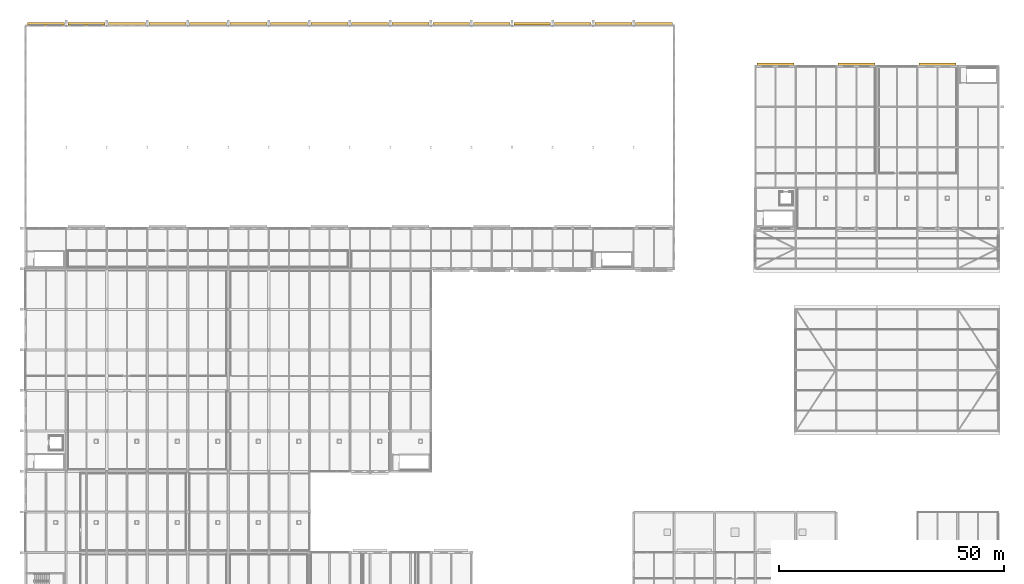
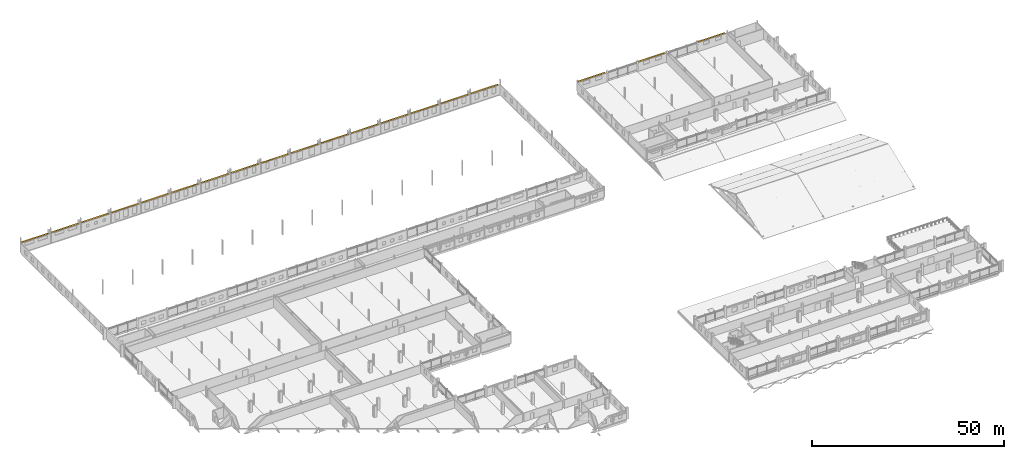
# One storey, part 131 of 132: 19 shading devices.
"""IFC4 building model written with IfcOpenShell, lengths in metres."""

from ifc_helpers import new_model, si_unit, direction, frame, origin, origin_2d, place, context, subcontext, project, spatial, rectangle, extrude, material, layer, layer_set, type_object, element, save


model = new_model("IFC4")

# Units and contexts
model_context = context("Model", 3, precision=1e-05, world=origin(), true_north=direction((0.0, 1.0)))
body_context = subcontext(model_context, "Body", "Model", "MODEL_VIEW")
ifc_project = project(units=[si_unit("LENGTHUNIT", "METRE"), si_unit("AREAUNIT", "SQUARE_METRE"), si_unit("VOLUMEUNIT", "CUBIC_METRE"), si_unit("PLANEANGLEUNIT", "RADIAN"), si_unit("MASSUNIT", "GRAM", prefix="KILO")], contexts=[model_context])

# Site, building, storey
site_placement = place(None, origin())
site = spatial("IfcSite", under=ifc_project, at=site_placement, CompositionType="ELEMENT")
building_placement = place(site_placement, origin())
building = spatial("IfcBuilding", under=site, at=building_placement, Name="Tharagai Park Tramway Depot", CompositionType="ELEMENT")
storey_placement = place(building_placement, frame((0.0, 0.0, 4.800048828125)))
storey = spatial("IfcBuildingStorey", under=building, at=storey_placement, Name="L01", CompositionType="ELEMENT", Elevation=4.800048828125)

# Shading devices
ifc_material = material(Name="Anodised aluminium", Category="aluminium")
ifc_layer = layer(ifc_material, 0.090087890625)
ifc_layer_set = layer_set([ifc_layer], Name="Anodised aluminium")
shading_device_type = type_object("IfcShadingDeviceType", Name="SD-01", PredefinedType="SHUTTER", material=ifc_layer_set)
for number, where, z_axis, x_axis, name in (
    (1, (166.5, 135.429931640625, 2.61669921875), (0.0, 0.0, 1.0), (1.0, 0.0, 0.0), "Monsoon Storm Louvre Hood SD-01 #32"),
    (2, (184.5, 135.429931640625, 2.61669921875), (0.0, 0.0, 1.0), (1.0, 0.0, 0.0), "Monsoon Storm Louvre Hood SD-01 #33"),
    (3, (202.5, 135.429931640625, 2.61669921875), (0.0, 0.0, 1.0), (1.0, 0.0, 0.0), "Monsoon Storm Louvre Hood SD-01 #34"),
    (4, (4.5, 144.429931640625, 2.81689453125), (0.0, 0.0, 1.0), (1.0, 0.0, 0.0), "Monsoon Storm Louvre Hood SD-01 #35"),
    (5, (13.5, 144.429931640625, 2.81689453125), (0.0, 0.0, 1.0), (1.0, 0.0, 0.0), "Monsoon Storm Louvre Hood SD-01 #36"),
    (6, (22.5, 144.429931640625, 2.81689453125), (0.0, 0.0, 1.0), (1.0, 0.0, 0.0), "Monsoon Storm Louvre Hood SD-01 #37"),
    (7, (31.5, 144.429931640625, 2.81689453125), (0.0, 0.0, 1.0), (1.0, 0.0, 0.0), "Monsoon Storm Louvre Hood SD-01 #38"),
    (8, (40.5, 144.429931640625, 2.81689453125), (0.0, 0.0, 1.0), (1.0, 0.0, 0.0), "Monsoon Storm Louvre Hood SD-01 #39"),
    (9, (49.5, 144.429931640625, 2.81689453125), (0.0, 0.0, 1.0), (1.0, 0.0, 0.0), "Monsoon Storm Louvre Hood SD-01 #40"),
    (10, (58.5, 144.429931640625, 2.81689453125), (0.0, 0.0, 1.0), (1.0, 0.0, 0.0), "Monsoon Storm Louvre Hood SD-01 #41"),
    (11, (67.5, 144.429931640625, 2.81689453125), (0.0, 0.0, 1.0), (1.0, 0.0, 0.0), "Monsoon Storm Louvre Hood SD-01 #42"),
    (12, (76.5, 144.429931640625, 2.81689453125), (0.0, 0.0, 1.0), (1.0, 0.0, 0.0), "Monsoon Storm Louvre Hood SD-01 #43"),
    (13, (85.5, 144.429931640625, 2.81689453125), (0.0, 0.0, 1.0), (1.0, 0.0, 0.0), "Monsoon Storm Louvre Hood SD-01 #44"),
    (14, (94.5, 144.429931640625, 2.81689453125), (0.0, 0.0, 1.0), (1.0, 0.0, 0.0), "Monsoon Storm Louvre Hood SD-01 #45"),
    (15, (103.5, 144.429931640625, 2.81689453125), (0.0, 0.0, 1.0), (1.0, 0.0, 0.0), "Monsoon Storm Louvre Hood SD-01 #46"),
    (16, (112.5, 144.429931640625, 2.81689453125), (0.0, 0.0, 1.0), (1.0, 0.0, 0.0), "Monsoon Storm Louvre Hood SD-01 #47"),
    (17, (121.5, 144.429931640625, 2.81689453125), (0.0, 0.0, 1.0), (1.0, 0.0, 0.0), "Monsoon Storm Louvre Hood SD-01 #48"),
    (18, (130.5, 144.429931640625, 2.81689453125), (0.0, 0.0, 1.0), (1.0, 0.0, 0.0), "Monsoon Storm Louvre Hood SD-01 #49"),
    (19, (139.5, 144.429931640625, 2.81689453125), (0.0, 0.0, 1.0), (1.0, 0.0, 0.0), "Monsoon Storm Louvre Hood SD-01 #50"),
):
    element("IfcShadingDevice", number, at=place(storey_placement, frame(where, z_axis=z_axis, x_axis=x_axis)), inside=storey, type_object=shading_device_type, Name=name, PredefinedType="SHUTTER", context=body_context, shape_type="SweptSolid", body=[
        extrude(rectangle(XDim=8.19189453125, YDim=0.580078125, at=origin_2d()), origin(), (0.0, 0.0, 1.0), 0.090087890625),
    ])

save(model, "model.ifc")
